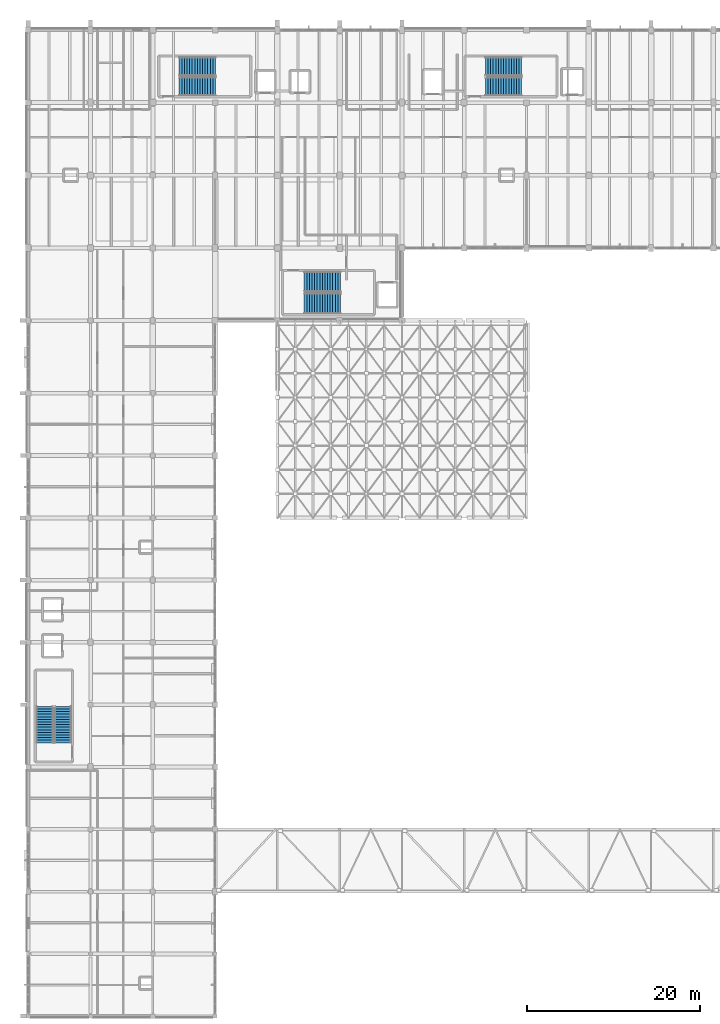
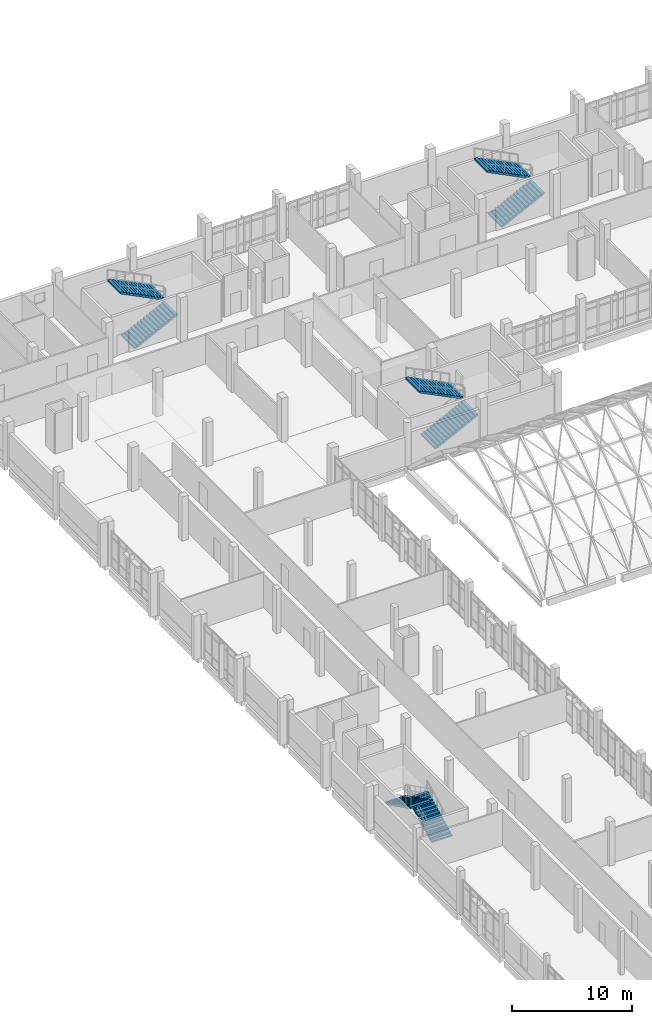
# One storey, part 79 of 87: 8 stair flights, 4 elements without a shape of their own.
"""IFC4 building model written with IfcOpenShell, lengths in metres."""

from ifc_helpers import new_model, si_unit, direction, frame, origin, place, context, subcontext, project, spatial, polyline, outline, extrude, material, type_object, element, aggregate, save


model = new_model("IFC4")

# Units and contexts
model_context = context("Model", 3, precision=1e-05, world=origin(), true_north=direction((0.0, 1.0)))
body_context = subcontext(model_context, "Body", "Model", "MODEL_VIEW")
ifc_project = project(units=[si_unit("LENGTHUNIT", "METRE"), si_unit("AREAUNIT", "SQUARE_METRE"), si_unit("VOLUMEUNIT", "CUBIC_METRE"), si_unit("PLANEANGLEUNIT", "RADIAN"), si_unit("MASSUNIT", "GRAM", prefix="KILO")], contexts=[model_context])

# Site, building, storey
site_placement = place(None, origin())
site = spatial("IfcSite", under=ifc_project, at=site_placement, CompositionType="ELEMENT")
building_placement = place(site_placement, origin())
building = spatial("IfcBuilding", under=site, at=building_placement, Name="Kalluvel Institute of Natural Sciences", CompositionType="ELEMENT")
storey_placement = place(building_placement, frame((0.0, 0.0, 18.89990234375)))
storey = spatial("IfcBuildingStorey", under=building, at=storey_placement, Name="L04", CompositionType="ELEMENT", Elevation=18.89990234375)

# Stair, stair flights
ifc_material = material(Name="Concrete M40", Category="concrete")
stair_type_1 = type_object("IfcStairType", Name="STR-ST12-45", PredefinedType="HALF_TURN_STAIR", material=ifc_material)
stair_1_placement = place(storey_placement, origin())
stair_1 = element("IfcStair", 1, at=stair_1_placement, inside=storey, type_object=stair_type_1, Name="L04 Wet Wing West Protected Exit Stair ST1", PredefinedType="HALF_TURN_STAIR")
stair_flight_type_1 = type_object("IfcStairFlightType", Name="STF-ST12-45", PredefinedType="STRAIGHT", material=ifc_material)
stair_flight_1_placement = place(storey_placement, frame((31.449951171875, 121.47998046875, 0.0), z_axis=(0.0, 0.0, 1.0), x_axis=(1.0, 0.0, 0.0)))
stair_flight_1 = element("IfcStairFlight", 2, at=stair_flight_1_placement, type_object=stair_flight_type_1, Name="S1-45 flight 1", NumberOfRisers=15, NumberOfTreads=14, PredefinedType="STRAIGHT", RiserHeight=0.15, TreadLength=0.3, context=body_context, shape_type="SweptSolid", body=[
    extrude(outline(polyline([(0.0, 0.0), (0.0, 0.14990234375), (0.300048828125, 0.14990234375), (0.300048828125, 0.300048828125), (0.60009765625, 0.300048828125), (0.60009765625, 0.449951171875), (0.89990234375, 0.449951171875), (0.89990234375, 0.60009765625), (1.199951171875, 0.60009765625), (1.199951171875, 0.75), (1.5, 0.75), (1.5, 0.89990234375), (1.800048828125, 0.89990234375), (1.800048828125, 1.050048828125), (2.10009765625, 1.050048828125), (2.10009765625, 1.199951171875), (2.39990234375, 1.199951171875), (2.39990234375, 1.35009765625), (2.699951171875, 1.35009765625), (2.699951171875, 1.5), (3.0, 1.5), (3.0, 1.64990234375), (3.300048828125, 1.64990234375), (3.300048828125, 1.800048828125), (3.60009765625, 1.800048828125), (3.60009765625, 1.949951171875), (3.89990234375, 1.949951171875), (3.89990234375, 2.10009765625), (4.199951171875, 2.10009765625), (4.199951171875, 2.25), (4.199951171875, 1.932373046875), (0.335205078125, 0.0), (0.0, 0.0)])), frame((0.0, 1.080078125, 0.0), z_axis=(0.0, -1.0, 0.0), x_axis=(1.0, 0.0, 0.0)), (0.0, 0.0, 1.0), 2.159912109375),
])
stair_flight_2_placement = place(storey_placement, frame((35.64990234375, 123.7900390625, 2.25), z_axis=(0.0, 0.0, 1.0), x_axis=(-1.0, 0.0, 0.0)))
stair_flight_2 = element("IfcStairFlight", 3, at=stair_flight_2_placement, type_object=stair_flight_type_1, Name="S1-45 flight 2", NumberOfRisers=15, NumberOfTreads=14, PredefinedType="STRAIGHT", RiserHeight=0.15, TreadLength=0.3, context=body_context, shape_type="SweptSolid", body=[
    extrude(outline(polyline([(0.0, 0.0), (0.0, 0.14990234375), (0.300048828125, 0.14990234375), (0.300048828125, 0.300048828125), (0.60009765625, 0.300048828125), (0.60009765625, 0.449951171875), (0.89990234375, 0.449951171875), (0.89990234375, 0.60009765625), (1.199951171875, 0.60009765625), (1.199951171875, 0.75), (1.5, 0.75), (1.5, 0.89990234375), (1.800048828125, 0.89990234375), (1.800048828125, 1.050048828125), (2.10009765625, 1.050048828125), (2.10009765625, 1.199951171875), (2.39990234375, 1.199951171875), (2.39990234375, 1.35009765625), (2.699951171875, 1.35009765625), (2.699951171875, 1.5), (3.0, 1.5), (3.0, 1.64990234375), (3.300048828125, 1.64990234375), (3.300048828125, 1.800048828125), (3.60009765625, 1.800048828125), (3.60009765625, 1.949951171875), (3.89990234375, 1.949951171875), (3.89990234375, 2.10009765625), (4.199951171875, 2.10009765625), (4.199951171875, 2.25), (4.199951171875, 1.932373046875), (0.335205078125, 0.0), (0.0, 0.0)])), frame((0.0, 1.080078125, 0.0), z_axis=(0.0, -1.0, 0.0), x_axis=(1.0, 0.0, 0.0)), (0.0, 0.0, 1.0), 2.159912109375),
])
aggregate(stair_1, [stair_flight_1, stair_flight_2])

stair_2_placement = place(storey_placement, origin())
stair_2 = element("IfcStair", 4, at=stair_2_placement, inside=storey, type_object=stair_type_1, Name="L04 Wet Wing East Protected Exit Stair ST2", PredefinedType="HALF_TURN_STAIR")
stair_flight_3_placement = place(storey_placement, frame((66.85009765625, 121.47998046875, 0.0), z_axis=(0.0, 0.0, 1.0), x_axis=(1.0, 0.0, 0.0)))
stair_flight_3 = element("IfcStairFlight", 5, at=stair_flight_3_placement, type_object=stair_flight_type_1, Name="S1-45 flight 1", NumberOfRisers=15, NumberOfTreads=14, PredefinedType="STRAIGHT", RiserHeight=0.15, TreadLength=0.3, context=body_context, shape_type="SweptSolid", body=[
    extrude(outline(polyline([(0.0, 0.0), (0.0, 0.14990234375), (0.300048828125, 0.14990234375), (0.300048828125, 0.300048828125), (0.60009765625, 0.300048828125), (0.60009765625, 0.449951171875), (0.89990234375, 0.449951171875), (0.89990234375, 0.60009765625), (1.199951171875, 0.60009765625), (1.199951171875, 0.75), (1.5, 0.75), (1.5, 0.89990234375), (1.800048828125, 0.89990234375), (1.800048828125, 1.050048828125), (2.10009765625, 1.050048828125), (2.10009765625, 1.199951171875), (2.39990234375, 1.199951171875), (2.39990234375, 1.35009765625), (2.699951171875, 1.35009765625), (2.699951171875, 1.5), (3.0, 1.5), (3.0, 1.64990234375), (3.300048828125, 1.64990234375), (3.300048828125, 1.800048828125), (3.60009765625, 1.800048828125), (3.60009765625, 1.949951171875), (3.89990234375, 1.949951171875), (3.89990234375, 2.10009765625), (4.199951171875, 2.10009765625), (4.199951171875, 2.25), (4.199951171875, 1.932373046875), (0.335205078125, 0.0), (0.0, 0.0)])), frame((0.0, 1.080078125, 0.0), z_axis=(0.0, -1.0, 0.0), x_axis=(1.0, 0.0, 0.0)), (0.0, 0.0, 1.0), 2.159912109375),
])
stair_flight_4_placement = place(storey_placement, frame((71.050048828125, 123.7900390625, 2.25), z_axis=(0.0, 0.0, 1.0), x_axis=(-1.0, 0.0, 0.0)))
stair_flight_4 = element("IfcStairFlight", 6, at=stair_flight_4_placement, type_object=stair_flight_type_1, Name="S1-45 flight 2", NumberOfRisers=15, NumberOfTreads=14, PredefinedType="STRAIGHT", RiserHeight=0.15, TreadLength=0.3, context=body_context, shape_type="SweptSolid", body=[
    extrude(outline(polyline([(0.0, 0.0), (0.0, 0.14990234375), (0.300048828125, 0.14990234375), (0.300048828125, 0.300048828125), (0.60009765625, 0.300048828125), (0.60009765625, 0.449951171875), (0.89990234375, 0.449951171875), (0.89990234375, 0.60009765625), (1.199951171875, 0.60009765625), (1.199951171875, 0.75), (1.5, 0.75), (1.5, 0.89990234375), (1.800048828125, 0.89990234375), (1.800048828125, 1.050048828125), (2.10009765625, 1.050048828125), (2.10009765625, 1.199951171875), (2.39990234375, 1.199951171875), (2.39990234375, 1.35009765625), (2.699951171875, 1.35009765625), (2.699951171875, 1.5), (3.0, 1.5), (3.0, 1.64990234375), (3.300048828125, 1.64990234375), (3.300048828125, 1.800048828125), (3.60009765625, 1.800048828125), (3.60009765625, 1.949951171875), (3.89990234375, 1.949951171875), (3.89990234375, 2.10009765625), (4.199951171875, 2.10009765625), (4.199951171875, 2.25), (4.199951171875, 1.932373046875), (0.335205078125, 0.0), (0.0, 0.0)])), frame((0.0, 1.080078125, 0.0), z_axis=(0.0, -1.0, 0.0), x_axis=(1.0, 0.0, 0.0)), (0.0, 0.0, 1.0), 2.159912109375),
])
aggregate(stair_2, [stair_flight_3, stair_flight_4])

stair_type_2 = type_object("IfcStairType", Name="STR-ST3-45", PredefinedType="HALF_TURN_STAIR", material=ifc_material)
stair_3_placement = place(storey_placement, origin())
stair_3 = element("IfcStair", 7, at=stair_3_placement, inside=storey, type_object=stair_type_2, Name="L04 Central Fire-Tower Protected Stair ST3", PredefinedType="HALF_TURN_STAIR")
stair_flight_type_2 = type_object("IfcStairFlightType", Name="STF-ST3-45", PredefinedType="STRAIGHT", material=ifc_material)
stair_flight_5_placement = place(storey_placement, frame((45.89990234375, 96.3798828125, 0.0), z_axis=(0.0, 0.0, 1.0), x_axis=(1.0, 0.0, 0.0)))
stair_flight_5 = element("IfcStairFlight", 8, at=stair_flight_5_placement, type_object=stair_flight_type_2, Name="S3-45 flight 1", NumberOfRisers=15, NumberOfTreads=14, PredefinedType="STRAIGHT", RiserHeight=0.15, TreadLength=0.3, context=body_context, shape_type="SweptSolid", body=[
    extrude(outline(polyline([(0.0, 0.0), (0.0, 0.14990234375), (0.300048828125, 0.14990234375), (0.300048828125, 0.300048828125), (0.60009765625, 0.300048828125), (0.60009765625, 0.449951171875), (0.89990234375, 0.449951171875), (0.89990234375, 0.60009765625), (1.199951171875, 0.60009765625), (1.199951171875, 0.75), (1.5, 0.75), (1.5, 0.89990234375), (1.800048828125, 0.89990234375), (1.800048828125, 1.050048828125), (2.10009765625, 1.050048828125), (2.10009765625, 1.199951171875), (2.39990234375, 1.199951171875), (2.39990234375, 1.35009765625), (2.699951171875, 1.35009765625), (2.699951171875, 1.5), (3.0, 1.5), (3.0, 1.64990234375), (3.300048828125, 1.64990234375), (3.300048828125, 1.800048828125), (3.60009765625, 1.800048828125), (3.60009765625, 1.949951171875), (3.89990234375, 1.949951171875), (3.89990234375, 2.10009765625), (4.199951171875, 2.10009765625), (4.199951171875, 2.25), (4.199951171875, 1.932373046875), (0.335205078125, 0.0), (0.0, 0.0)])), frame((0.0, 1.18017578125, 0.0), z_axis=(0.0, -1.0, 0.0), x_axis=(1.0, 0.0, 0.0)), (0.0, 0.0, 1.0), 2.360107421875),
])
stair_flight_6_placement = place(storey_placement, frame((50.10009765625, 98.889892578125, 2.25), z_axis=(0.0, 0.0, 1.0), x_axis=(-1.0, 0.0, 0.0)))
stair_flight_6 = element("IfcStairFlight", 9, at=stair_flight_6_placement, type_object=stair_flight_type_2, Name="S3-45 flight 2", NumberOfRisers=15, NumberOfTreads=14, PredefinedType="STRAIGHT", RiserHeight=0.15, TreadLength=0.3, context=body_context, shape_type="SweptSolid", body=[
    extrude(outline(polyline([(0.0, 0.0), (0.0, 0.14990234375), (0.300048828125, 0.14990234375), (0.300048828125, 0.300048828125), (0.60009765625, 0.300048828125), (0.60009765625, 0.449951171875), (0.89990234375, 0.449951171875), (0.89990234375, 0.60009765625), (1.199951171875, 0.60009765625), (1.199951171875, 0.75), (1.5, 0.75), (1.5, 0.89990234375), (1.800048828125, 0.89990234375), (1.800048828125, 1.050048828125), (2.10009765625, 1.050048828125), (2.10009765625, 1.199951171875), (2.39990234375, 1.199951171875), (2.39990234375, 1.35009765625), (2.699951171875, 1.35009765625), (2.699951171875, 1.5), (3.0, 1.5), (3.0, 1.64990234375), (3.300048828125, 1.64990234375), (3.300048828125, 1.800048828125), (3.60009765625, 1.800048828125), (3.60009765625, 1.949951171875), (3.89990234375, 1.949951171875), (3.89990234375, 2.10009765625), (4.199951171875, 2.10009765625), (4.199951171875, 2.25), (4.199951171875, 1.932373046875), (0.335205078125, 0.0), (0.0, 0.0)])), frame((0.0, 1.18017578125, 0.0), z_axis=(0.0, -1.0, 0.0), x_axis=(1.0, 0.0, 0.0)), (0.0, 0.0, 1.0), 2.360107421875),
])
aggregate(stair_3, [stair_flight_5, stair_flight_6])

stair_type_3 = type_object("IfcStairType", Name="STR-ST4-45", PredefinedType="HALF_TURN_STAIR", material=ifc_material)
stair_4_placement = place(storey_placement, origin())
stair_4 = element("IfcStair", 10, at=stair_4_placement, inside=storey, type_object=stair_type_3, Name="L04 Dry Wing Protected Exit Stair ST4", PredefinedType="HALF_TURN_STAIR")
stair_flight_type_3 = type_object("IfcStairFlightType", Name="STF-ST4-45", PredefinedType="STRAIGHT", material=ifc_material)
stair_flight_7_placement = place(storey_placement, frame((18.02001953125, 45.60009765625, 0.0), z_axis=(0.0, 0.0, 1.0), x_axis=(0.0, 1.0, 0.0)))
stair_flight_7 = element("IfcStairFlight", 11, at=stair_flight_7_placement, type_object=stair_flight_type_3, Name="S4-45 flight 1", NumberOfRisers=15, NumberOfTreads=14, PredefinedType="STRAIGHT", RiserHeight=0.15, TreadLength=0.3, context=body_context, shape_type="SweptSolid", body=[
    extrude(outline(polyline([(0.0, 0.0), (0.0, 0.14990234375), (0.300048828125, 0.14990234375), (0.300048828125, 0.300048828125), (0.60009765625, 0.300048828125), (0.60009765625, 0.449951171875), (0.89990234375, 0.449951171875), (0.89990234375, 0.60009765625), (1.199951171875, 0.60009765625), (1.199951171875, 0.75), (1.5, 0.75), (1.5, 0.89990234375), (1.800048828125, 0.89990234375), (1.800048828125, 1.050048828125), (2.10009765625, 1.050048828125), (2.10009765625, 1.199951171875), (2.39990234375, 1.199951171875), (2.39990234375, 1.35009765625), (2.699951171875, 1.35009765625), (2.699951171875, 1.5), (3.0, 1.5), (3.0, 1.64990234375), (3.300048828125, 1.64990234375), (3.300048828125, 1.800048828125), (3.60009765625, 1.800048828125), (3.60009765625, 1.949951171875), (3.89990234375, 1.949951171875), (3.89990234375, 2.10009765625), (4.199951171875, 2.10009765625), (4.199951171875, 2.25), (4.199951171875, 1.932373046875), (0.335205078125, 0.0), (0.0, 0.0)])), frame((0.0, 0.97998046875, 0.0), z_axis=(0.0, -1.0, 0.0), x_axis=(1.0, 0.0, 0.0)), (0.0, 0.0, 1.0), 1.9599609375),
])
stair_flight_8_placement = place(storey_placement, frame((15.909912109375, 49.800048828125, 2.25), z_axis=(0.0, 0.0, 1.0), x_axis=(0.0, -1.0, 0.0)))
stair_flight_8 = element("IfcStairFlight", 12, at=stair_flight_8_placement, type_object=stair_flight_type_3, Name="S4-45 flight 2", NumberOfRisers=15, NumberOfTreads=14, PredefinedType="STRAIGHT", RiserHeight=0.15, TreadLength=0.3, context=body_context, shape_type="SweptSolid", body=[
    extrude(outline(polyline([(0.0, 0.0), (0.0, 0.14990234375), (0.300048828125, 0.14990234375), (0.300048828125, 0.300048828125), (0.60009765625, 0.300048828125), (0.60009765625, 0.449951171875), (0.89990234375, 0.449951171875), (0.89990234375, 0.60009765625), (1.199951171875, 0.60009765625), (1.199951171875, 0.75), (1.5, 0.75), (1.5, 0.89990234375), (1.800048828125, 0.89990234375), (1.800048828125, 1.050048828125), (2.10009765625, 1.050048828125), (2.10009765625, 1.199951171875), (2.39990234375, 1.199951171875), (2.39990234375, 1.35009765625), (2.699951171875, 1.35009765625), (2.699951171875, 1.5), (3.0, 1.5), (3.0, 1.64990234375), (3.300048828125, 1.64990234375), (3.300048828125, 1.800048828125), (3.60009765625, 1.800048828125), (3.60009765625, 1.949951171875), (3.89990234375, 1.949951171875), (3.89990234375, 2.10009765625), (4.199951171875, 2.10009765625), (4.199951171875, 2.25), (4.199951171875, 1.932373046875), (0.335205078125, 0.0), (0.0, 0.0)])), frame((0.0, 0.97998046875, 0.0), z_axis=(0.0, -1.0, 0.0), x_axis=(1.0, 0.0, 0.0)), (0.0, 0.0, 1.0), 1.9599609375),
])
aggregate(stair_4, [stair_flight_7, stair_flight_8])

save(model, "model.ifc")
